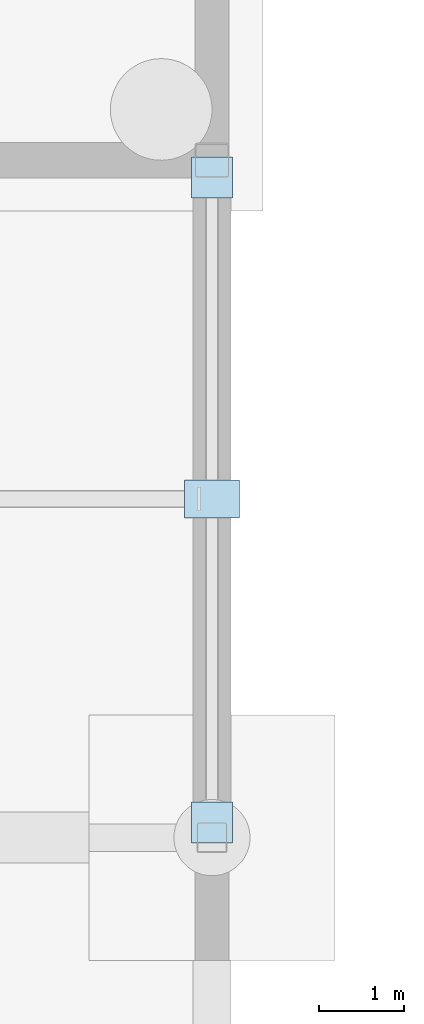
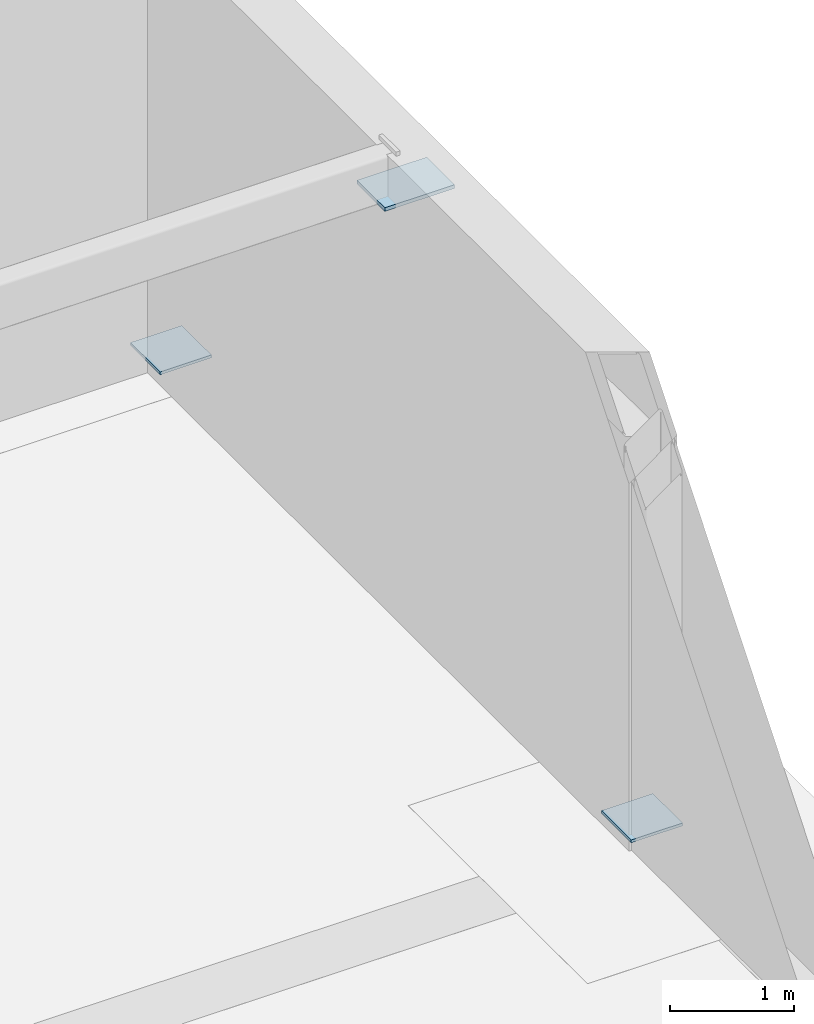
# One storey, part 55 of 105: 3 plates.
"""IFC4 building model written with IfcOpenShell, lengths in metres."""

from ifc_helpers import new_model, si_unit, direction, frame, origin, origin_2d, place, context, subcontext, project, spatial, rectangle, extrude, material, layer, layer_set, type_object, element, save


model = new_model("IFC4")

# Units and contexts
model_context = context("Model", 3, precision=1e-05, world=origin(), true_north=direction((0.0, 1.0)))
body_context = subcontext(model_context, "Body", "Model", "MODEL_VIEW")
ifc_project = project(units=[si_unit("LENGTHUNIT", "METRE"), si_unit("AREAUNIT", "SQUARE_METRE"), si_unit("VOLUMEUNIT", "CUBIC_METRE"), si_unit("PLANEANGLEUNIT", "RADIAN"), si_unit("MASSUNIT", "GRAM", prefix="KILO")], contexts=[model_context])

# Site, building, storey
site_placement = place(None, origin())
site = spatial("IfcSite", under=ifc_project, at=site_placement, CompositionType="ELEMENT")
building_placement = place(site_placement, origin())
building = spatial("IfcBuilding", under=site, at=building_placement, Name="Solmirada Galleria", CompositionType="ELEMENT")
storey_placement = place(building_placement, frame((0.0, 0.0, -4.800048828125)))
storey = spatial("IfcBuildingStorey", under=building, at=storey_placement, Name="B1", CompositionType="ELEMENT", Elevation=-4.800048828125)

# Plates
ifc_material = material(Name="Steel S355 / ASTM A572 Grade 50", Category="steel")
ifc_layer_1 = layer(ifc_material, 0.028076171875)
ifc_layer_set_1 = layer_set([ifc_layer_1], Name="Steel S355 / ASTM A572 Grade 50")
plate_type_1 = type_object("IfcPlateType", Name="PLT-NODE-02", PredefinedType="SHEET", material=ifc_layer_set_1)
for number, where, z_axis, x_axis, name in (
    (1, (176.0, 80.177978515625, 0.1259765625), (0.0, 0.0, 1.0), (1.0, 0.0, 0.0), "Braced frame gusset plate CBF-E1 B1 LA"),
    (2, (176.0, 87.797119140625, 0.1259765625), (0.0, 0.0, 1.0), (1.0, 0.0, 0.0), "Braced frame gusset plate CBF-E1 B1 RA"),
):
    element("IfcPlate", number, at=place(storey_placement, frame(where, z_axis=z_axis, x_axis=x_axis)), inside=storey, type_object=plate_type_1, Name=name, PredefinedType="SHEET", context=body_context, shape_type="SweptSolid", body=[
        extrude(rectangle(XDim=0.47998046875, YDim=0.47998046875, at=origin_2d()), origin(), (0.0, 0.0, 1.0), 0.028076171875),
    ])
ifc_layer_2 = layer(ifc_material, 0.035888671875)
ifc_layer_set_2 = layer_set([ifc_layer_2], Name="Steel S355 / ASTM A572 Grade 50")
plate_type_2 = type_object("IfcPlateType", Name="PLT-NODE-04", PredefinedType="SHEET", material=ifc_layer_set_2)
plate_placement = place(storey_placement, frame((176.0, 84.0, 4.06201171875), z_axis=(0.0, 0.0, 1.0), x_axis=(1.0, 0.0, 0.0)))
element("IfcPlate", 3, at=plate_placement, inside=storey, type_object=plate_type_2, Name="Braced frame gusset plate CBF-E1 B1 AP", PredefinedType="SHEET", context=body_context, shape_type="SweptSolid", body=[
    extrude(rectangle(XDim=0.64990234375, YDim=0.449951171875, at=origin_2d()), origin(), (0.0, 0.0, 1.0), 0.035888671875),
])

save(model, "model.ifc")
